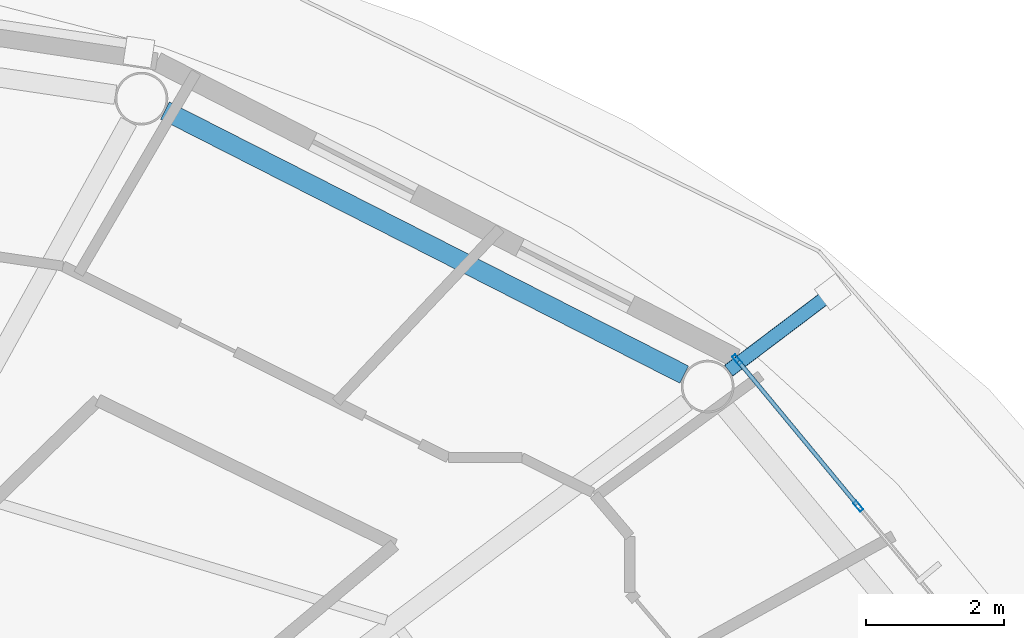
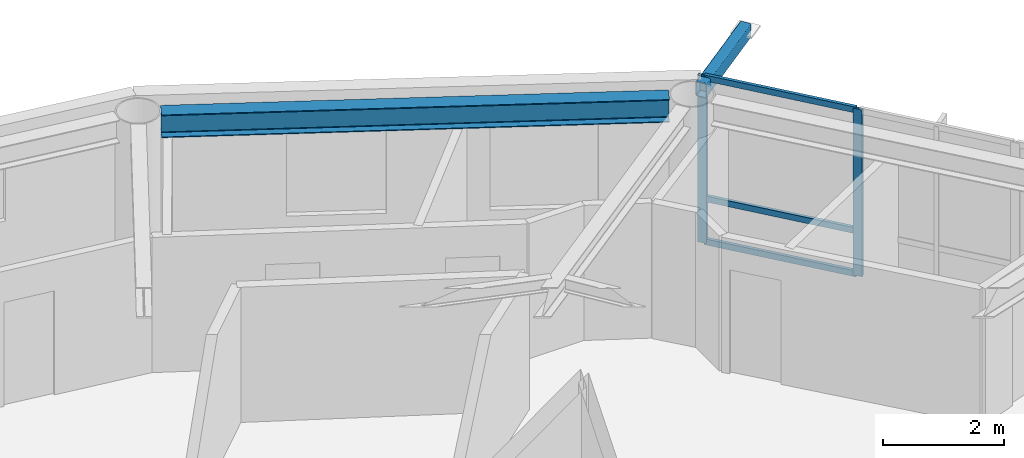
# One storey, part 11 of 23: 6 members, 1 beam, 1 element without a shape of its own.
"""IFC4 building model written with IfcOpenShell, lengths in metres."""

from ifc_helpers import new_model, si_unit, direction, frame, origin, origin_2d, place, context, subcontext, project, spatial, hollow_rectangle, i_section, extrude, material, layer, layer_set, material_profile, profile_set, type_object, element, aggregate, save


model = new_model("IFC4")

# Units and contexts
model_context = context("Model", 3, precision=1e-05, world=origin(), true_north=direction((0.0, 1.0)))
body_context = subcontext(model_context, "Body", "Model", "MODEL_VIEW")
ifc_project = project(units=[si_unit("LENGTHUNIT", "METRE"), si_unit("AREAUNIT", "SQUARE_METRE"), si_unit("VOLUMEUNIT", "CUBIC_METRE"), si_unit("PLANEANGLEUNIT", "RADIAN"), si_unit("MASSUNIT", "GRAM", prefix="KILO")], contexts=[model_context])

# Site, building, storey
site_placement = place(None, origin())
site = spatial("IfcSite", under=ifc_project, at=site_placement, CompositionType="ELEMENT")
building_placement = place(site_placement, origin())
building = spatial("IfcBuilding", under=site, at=building_placement, Name="Sarneth Arch Tower", CompositionType="ELEMENT")
storey_placement = place(building_placement, frame((0.0, 0.0, 273.0)))
storey = spatial("IfcBuildingStorey", under=building, at=storey_placement, Name="L70", CompositionType="ELEMENT", Elevation=273.0)

# Beam
ifc_material_1 = material(Name="Steel S355", Category="steel")
ifc_material_profile_1 = material_profile(ifc_material_1, i_section(OverallWidth=0.280029296875, OverallDepth=0.462890625, WebThickness=0.0107421875, FlangeThickness=0.017333984375, FilletRadius=0.01806640625, at=origin_2d()), Name="W460x113")
ifc_profile_set_1 = profile_set([ifc_material_profile_1], Name="Steel S355")
beam_type = type_object("IfcBeamType", Name="BM-RAD-460A", PredefinedType="BEAM", material=ifc_profile_set_1)
beam_placement = place(storey_placement, frame((65.635498046875, 55.749267578125, 3.138427734375), z_axis=(-0.891373613492, 0.453269325204, 0.0), x_axis=(-0.453269325204, -0.891373613492, 0.0)))
element("IfcBeam", 1, at=beam_placement, inside=storey, type_object=beam_type, Name="L70 Perimeter spandrel beam 03", PredefinedType="BEAM", context=body_context, shape_type="SweptSolid", body=[
    extrude(i_section(OverallWidth=0.280029296875, OverallDepth=0.462890625, WebThickness=0.0107421875, FlangeThickness=0.017333984375, FilletRadius=0.01806640625, at=origin_2d()), origin(), (0.0, 0.0, 1.0), 8.419677734375),
])

# Curtain wall, members
ifc_material_2 = material(Name="Anodised aluminium Type AA25 and solar-control low-e laminated IGU", Category="aluminium")
ifc_layer = layer(ifc_material_2, 0.179931640625)
ifc_layer_set = layer_set([ifc_layer], Name="Anodised aluminium Type AA25 and solar-control low-e laminated IGU")
curtain_wall_type = type_object("IfcCurtainWallType", Name="CW-RES-HIGH", PredefinedType="NOTDEFINED", material=ifc_layer_set)
curtain_wall_placement = place(storey_placement, origin())
curtain_wall = element("IfcCurtainWall", 2, at=curtain_wall_placement, inside=storey, type_object=curtain_wall_type, Name="L70 Unitised curtain wall facet 02", PredefinedType="NOTDEFINED")
ifc_material_3 = material(Name="Anodised Aluminium 6063-T6", Category="aluminium")
ifc_material_profile_2 = material_profile(ifc_material_3, hollow_rectangle(XDim=0.06005859375, YDim=0.159912109375, WallThickness=0.00390625, at=origin_2d()), Name="AL-MULL-160x60x4")
ifc_profile_set_2 = profile_set([ifc_material_profile_2], Name="Anodised Aluminium 6063-T6")
member_type_1 = type_object("IfcMemberType", Name="CW-MULLION", PredefinedType="MULLION", material=ifc_profile_set_2)
member_1_placement = place(storey_placement, frame((68.15283203125, 53.84765625, 0.0), z_axis=(0.0, 0.0, 1.0), x_axis=(-0.770359245933, -0.637610094184, 0.0)))
member_1 = element("IfcMember", 3, at=member_1_placement, type_object=member_type_1, Name="CW-SYS-6 mullion 3", PredefinedType="MULLION", context=body_context, shape_type="SweptSolid", body=[
    extrude(hollow_rectangle(XDim=0.06005859375, YDim=0.159912109375, WallThickness=0.00390625, at=origin_2d()), origin(), (0.0, 0.0, 1.0), 3.3701171875),
])
member_2_placement = place(storey_placement, frame((66.401611328125, 55.96337890625, 0.0), z_axis=(0.0, 0.0, 1.0), x_axis=(-0.770359245933, -0.637610094184, 0.0)))
member_2 = element("IfcMember", 4, at=member_2_placement, type_object=member_type_1, Name="CW-SYS-6 mullion 4", PredefinedType="MULLION", context=body_context, shape_type="SweptSolid", body=[
    extrude(hollow_rectangle(XDim=0.06005859375, YDim=0.159912109375, WallThickness=0.00390625, at=origin_2d()), origin(), (0.0, 0.0, 1.0), 3.3701171875),
])
ifc_material_4 = material(Name="Anodised Aluminium 6063-T6", Category="aluminium")
ifc_material_profile_3 = material_profile(ifc_material_4, hollow_rectangle(XDim=0.06005859375, YDim=0.1201171875, WallThickness=0.00390625, at=origin_2d()), Name="AL-TRAN-120x60x4")
ifc_profile_set_3 = profile_set([ifc_material_profile_3], Name="Anodised Aluminium 6063-T6")
member_type_2 = type_object("IfcMemberType", Name="CW-TRANSOM", PredefinedType="USERDEFINED", material=ifc_profile_set_3)
member_3_placement = place(storey_placement, frame((68.1337890625, 53.87060546875, 0.030029296875), z_axis=(-0.637606765719, 0.770362000821, 0.0), x_axis=(-0.770362000821, -0.637606765719, 0.0)))
member_3 = element("IfcMember", 5, at=member_3_placement, type_object=member_type_2, Name="CW-SYS-6 transom 3.1", ObjectType="TRANSOM", PredefinedType="USERDEFINED", context=body_context, shape_type="SweptSolid", body=[
    extrude(hollow_rectangle(XDim=0.06005859375, YDim=0.1201171875, WallThickness=0.00390625, at=origin_2d()), origin(), (0.0, 0.0, 1.0), 2.686767578125),
])
member_4_placement = place(storey_placement, frame((68.1337890625, 53.87060546875, 0.89990234375), z_axis=(-0.637606765719, 0.770362000821, 0.0), x_axis=(-0.770362000821, -0.637606765719, 0.0)))
member_4 = element("IfcMember", 6, at=member_4_placement, type_object=member_type_2, Name="CW-SYS-6 transom 3.2", ObjectType="TRANSOM", PredefinedType="USERDEFINED", context=body_context, shape_type="SweptSolid", body=[
    extrude(hollow_rectangle(XDim=0.06005859375, YDim=0.1201171875, WallThickness=0.00390625, at=origin_2d()), origin(), (0.0, 0.0, 1.0), 2.686767578125),
])
member_5_placement = place(storey_placement, frame((68.1337890625, 53.87060546875, 3.340087890625), z_axis=(-0.637606765719, 0.770362000821, 0.0), x_axis=(-0.770362000821, -0.637606765719, 0.0)))
member_5 = element("IfcMember", 7, at=member_5_placement, type_object=member_type_2, Name="CW-SYS-6 transom 3.3", ObjectType="TRANSOM", PredefinedType="USERDEFINED", context=body_context, shape_type="SweptSolid", body=[
    extrude(hollow_rectangle(XDim=0.06005859375, YDim=0.1201171875, WallThickness=0.00390625, at=origin_2d()), origin(), (0.0, 0.0, 1.0), 2.686767578125),
])
aggregate(curtain_wall, [member_1, member_2, member_3, member_4, member_5])

# Member
ifc_material_5 = material(Name="Steel S355", Category="steel")
ifc_material_profile_4 = material_profile(ifc_material_5, hollow_rectangle(XDim=0.199951171875, YDim=0.300048828125, WallThickness=0.012451171875, InnerFilletRadius=0.018798828125, OuterFilletRadius=0.03125, at=origin_2d()), Name="RHS300x200x12.5")
ifc_profile_set_4 = profile_set([ifc_material_profile_4], Name="Steel S355")
member_type_3 = type_object("IfcMemberType", Name="MEM-CANT-STRUT", PredefinedType="STRUT", material=ifc_profile_set_4)
member_6_placement = place(storey_placement, frame((66.279296875, 55.80615234375, 3.2099609375), z_axis=(0.797961358426, 0.602708611569, 0.0), x_axis=(-0.602708611569, 0.797961358426, 0.0)))
element("IfcMember", 8, at=member_6_placement, inside=storey, type_object=member_type_3, Name="L70 Balcony cantilever bracket 03", PredefinedType="STRUT", context=body_context, shape_type="SweptSolid", body=[
    extrude(hollow_rectangle(XDim=0.199951171875, YDim=0.300048828125, WallThickness=0.012451171875, InnerFilletRadius=0.018798828125, OuterFilletRadius=0.03125, at=origin_2d()), origin(), (0.0, 0.0, 1.0), 1.88671875),
])

save(model, "model.ifc")
